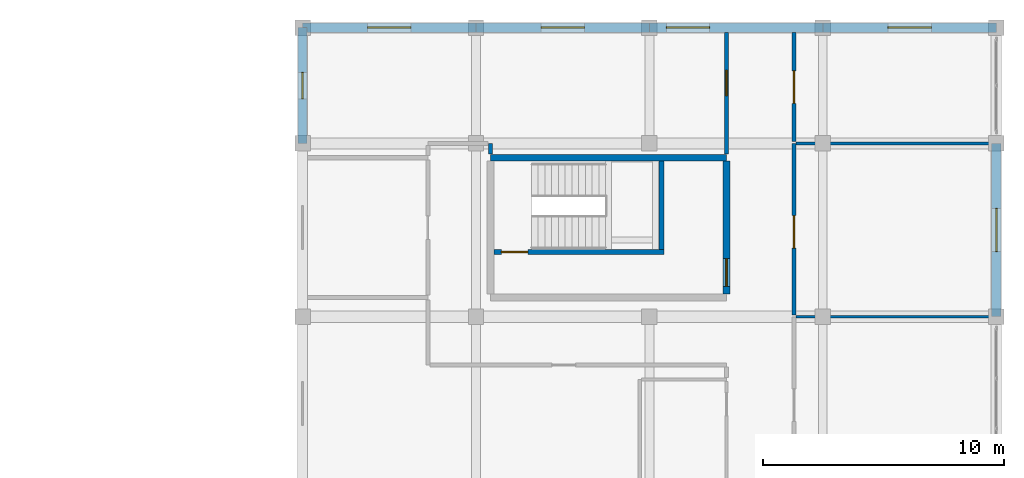
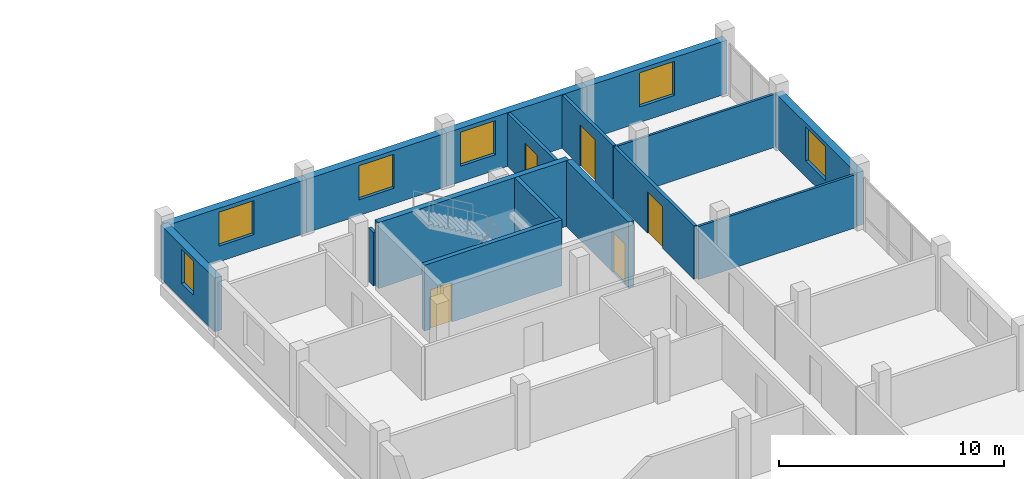
# One storey, part 119 of 128: 16 walls, 6 windows, 5 doors, 11 openings.
"""IFC4 building model written with IfcOpenShell, lengths in metres."""

from ifc_helpers import new_model, si_unit, direction, frame, frame_2d, origin, place, context, subcontext, project, spatial, rectangle, extrude, material, layer, layer_set, type_object, element, fill, save


model = new_model("IFC4")

# Units and contexts
model_context = context("Model", 3, precision=1e-05, world=origin(), true_north=direction((0.0, 1.0)))
body_context = subcontext(model_context, "Body", "Model", "MODEL_VIEW")
ifc_project = project(units=[si_unit("LENGTHUNIT", "METRE"), si_unit("AREAUNIT", "SQUARE_METRE"), si_unit("VOLUMEUNIT", "CUBIC_METRE"), si_unit("PLANEANGLEUNIT", "RADIAN"), si_unit("MASSUNIT", "GRAM", prefix="KILO")], contexts=[model_context])

# Site, building, storey
site_placement = place(None, origin())
site = spatial("IfcSite", under=ifc_project, at=site_placement, CompositionType="ELEMENT")
building_placement = place(site_placement, origin())
building = spatial("IfcBuilding", under=site, at=building_placement, Name="Zornivar Specialist Clinic", CompositionType="ELEMENT")
storey_placement = place(building_placement, frame((0.0, 0.0, 4.5)))
storey = spatial("IfcBuildingStorey", under=building, at=storey_placement, Name="L01", CompositionType="ELEMENT", Elevation=4.5)

# Wall, opening, window
ifc_material_1 = material(Name="Masonry Vratsa Limestone and Brick Banded Wall", Category="masonry")
ifc_layer_1 = layer(ifc_material_1, 0.3798828125)
ifc_layer_set_1 = layer_set([ifc_layer_1], Name="Masonry Vratsa Limestone and Brick Banded Wall")
wall_type_1 = type_object("IfcWallType", Name="EW-LIMESTONE-380", PredefinedType="SOLIDWALL", material=ifc_layer_set_1)
wall_1_placement = place(storey_placement, frame((165.60009765625, 100.800048828125, 0.0), z_axis=(0.0, 0.0, 1.0), x_axis=(0.0, 1.0, 0.0)))
wall_1 = element("IfcWall", 1, at=wall_1_placement, inside=storey, type_object=wall_type_1, Name="ew:V6:L01:09", PredefinedType="SOLIDWALL", context=body_context, shape_type="SweptSolid", body=[
    extrude(rectangle(XDim=7.199951171875, YDim=0.3798828125, at=frame_2d((3.60009765625, 0.0))), origin(), (0.0, 0.0, 1.0), 2.909912109375),
])
opening_1_placement = place(wall_1_placement, frame((2.699951171875, 0.0, 0.85009765625)))
opening_1 = element("IfcOpeningElement", 2, at=opening_1_placement, cuts=wall_1, Name="Opening W-20", PredefinedType="OPENING", context=body_context, shape_type="SweptSolid", body=[
    extrude(rectangle(XDim=1.800048828125, YDim=1.85009765625, at=frame_2d((0.89990234375, 0.925048828125))), frame((0.0, 0.199951171875, 0.0), z_axis=(0.0, -1.0, 0.0), x_axis=(1.0, 0.0, 0.0)), (0.0, 0.0, 1.0), 0.39990234375),
])
ifc_material_2 = material(Name="Triple-Glazed Aluminium-Timber Window Glass", Category="wood")
window_type_1 = type_object("IfcWindowType", Name="WIN-LAB-LOWER-1800x1850", PartitioningType="SINGLE_PANEL", PredefinedType="WINDOW", material=ifc_material_2)
window_1_placement = place(opening_1_placement, origin())
window_1 = element("IfcWindow", 3, at=window_1_placement, inside=storey, type_object=window_type_1, Name="win:V6:L01:09", OverallHeight=1.85009765625, OverallWidth=1.800048828125, PartitioningType="SINGLE_PANEL", PredefinedType="WINDOW", context=body_context, shape_type="SweptSolid", body=[
    extrude(rectangle(XDim=1.800048828125, YDim=1.85009765625, at=frame_2d((0.89990234375, 0.925048828125))), frame((0.0, 0.030029296875, 0.0), z_axis=(0.0, -1.0, 0.0), x_axis=(1.0, 0.0, 0.0)), (0.0, 0.0, 1.0), 0.06005859375),
])
fill(opening_1, window_1)

wall_2_placement = place(storey_placement, frame((165.60009765625, 112.800048828125, 0.0), z_axis=(0.0, 0.0, 1.0), x_axis=(-1.0, 0.0, 0.0)))
wall_2 = element("IfcWall", 4, at=wall_2_placement, inside=storey, type_object=wall_type_1, Name="ew:V6:L01:11", PredefinedType="SOLIDWALL", context=body_context, shape_type="SweptSolid", body=[
    extrude(rectangle(XDim=7.2001953125, YDim=0.3798828125, at=frame_2d((3.60009765625, 0.0))), origin(), (0.0, 0.0, 1.0), 2.909912109375),
])
opening_2_placement = place(wall_2_placement, frame((2.699951171875, 0.0, 0.85009765625)))
opening_2 = element("IfcOpeningElement", 5, at=opening_2_placement, cuts=wall_2, Name="Opening W-20", PredefinedType="OPENING", context=body_context, shape_type="SweptSolid", body=[
    extrude(rectangle(XDim=1.800048828125, YDim=1.85009765625, at=frame_2d((0.89990234375, 0.925048828125))), frame((0.0, 0.199951171875, 0.0), z_axis=(0.0, -1.0, 0.0), x_axis=(1.0, 0.0, 0.0)), (0.0, 0.0, 1.0), 0.39990234375),
])
window_2_placement = place(opening_2_placement, origin())
window_2 = element("IfcWindow", 6, at=window_2_placement, inside=storey, type_object=window_type_1, Name="win:V6:L01:11", OverallHeight=1.85009765625, OverallWidth=1.800048828125, PartitioningType="SINGLE_PANEL", PredefinedType="WINDOW", context=body_context, shape_type="SweptSolid", body=[
    extrude(rectangle(XDim=1.800048828125, YDim=1.85009765625, at=frame_2d((0.89990234375, 0.925048828125))), frame((0.0, 0.030029296875, 0.0), z_axis=(0.0, -1.0, 0.0), x_axis=(1.0, 0.0, 0.0)), (0.0, 0.0, 1.0), 0.06005859375),
])
fill(opening_2, window_2)

wall_3_placement = place(storey_placement, frame((158.39990234375, 112.800048828125, 0.0), z_axis=(0.0, 0.0, 1.0), x_axis=(-1.0, 0.0, 0.0)))
wall_3 = element("IfcWall", 7, at=wall_3_placement, inside=storey, type_object=wall_type_1, Name="ew:V6:L01:12", PredefinedType="SOLIDWALL", context=body_context, shape_type="SweptSolid", body=[
    extrude(rectangle(XDim=7.199951171875, YDim=0.3798828125, at=frame_2d((3.60009765625, 0.0))), origin(), (0.0, 0.0, 1.0), 2.909912109375),
])
opening_3_placement = place(wall_3_placement, frame((4.699951171875, 0.0, 0.85009765625)))
opening_3 = element("IfcOpeningElement", 8, at=opening_3_placement, cuts=wall_3, Name="Opening W-20", PredefinedType="OPENING", context=body_context, shape_type="SweptSolid", body=[
    extrude(rectangle(XDim=1.800048828125, YDim=1.85009765625, at=frame_2d((0.89990234375, 0.925048828125))), frame((0.0, 0.199951171875, 0.0), z_axis=(0.0, -1.0, 0.0), x_axis=(1.0, 0.0, 0.0)), (0.0, 0.0, 1.0), 0.39990234375),
])
window_3_placement = place(opening_3_placement, origin())
window_3 = element("IfcWindow", 9, at=window_3_placement, inside=storey, type_object=window_type_1, Name="win:V6:L01:12", OverallHeight=1.85009765625, OverallWidth=1.800048828125, PartitioningType="SINGLE_PANEL", PredefinedType="WINDOW", context=body_context, shape_type="SweptSolid", body=[
    extrude(rectangle(XDim=1.800048828125, YDim=1.85009765625, at=frame_2d((0.89990234375, 0.925048828125))), frame((0.0, 0.030029296875, 0.0), z_axis=(0.0, -1.0, 0.0), x_axis=(1.0, 0.0, 0.0)), (0.0, 0.0, 1.0), 0.06005859375),
])
fill(opening_3, window_3)

wall_4_placement = place(storey_placement, frame((151.199951171875, 112.800048828125, 0.0), z_axis=(0.0, 0.0, 1.0), x_axis=(-1.0, 0.0, 0.0)))
wall_4 = element("IfcWall", 10, at=wall_4_placement, inside=storey, type_object=wall_type_1, Name="ew:V6:L01:13", PredefinedType="SOLIDWALL", context=body_context, shape_type="SweptSolid", body=[
    extrude(rectangle(XDim=7.199951171875, YDim=0.3798828125, at=frame_2d((3.60009765625, 0.0))), origin(), (0.0, 0.0, 1.0), 2.909912109375),
])
opening_4_placement = place(wall_4_placement, frame((2.699951171875, 0.0, 0.85009765625)))
opening_4 = element("IfcOpeningElement", 11, at=opening_4_placement, cuts=wall_4, Name="Opening W-20", PredefinedType="OPENING", context=body_context, shape_type="SweptSolid", body=[
    extrude(rectangle(XDim=1.800048828125, YDim=1.85009765625, at=frame_2d((0.89990234375, 0.925048828125))), frame((0.0, 0.199951171875, 0.0), z_axis=(0.0, -1.0, 0.0), x_axis=(1.0, 0.0, 0.0)), (0.0, 0.0, 1.0), 0.39990234375),
])
window_4_placement = place(opening_4_placement, origin())
window_4 = element("IfcWindow", 12, at=window_4_placement, inside=storey, type_object=window_type_1, Name="win:V6:L01:13", OverallHeight=1.85009765625, OverallWidth=1.800048828125, PartitioningType="SINGLE_PANEL", PredefinedType="WINDOW", context=body_context, shape_type="SweptSolid", body=[
    extrude(rectangle(XDim=1.800048828125, YDim=1.85009765625, at=frame_2d((0.89990234375, 0.925048828125))), frame((0.0, 0.030029296875, 0.0), z_axis=(0.0, -1.0, 0.0), x_axis=(1.0, 0.0, 0.0)), (0.0, 0.0, 1.0), 0.06005859375),
])
fill(opening_4, window_4)

wall_5_placement = place(storey_placement, frame((144.0, 112.800048828125, 0.0), z_axis=(0.0, 0.0, 1.0), x_axis=(-1.0, 0.0, 0.0)))
wall_5 = element("IfcWall", 13, at=wall_5_placement, inside=storey, type_object=wall_type_1, Name="ew:V6:L01:14", PredefinedType="SOLIDWALL", context=body_context, shape_type="SweptSolid", body=[
    extrude(rectangle(XDim=7.199951171875, YDim=0.3798828125, at=frame_2d((3.60009765625, 0.0))), origin(), (0.0, 0.0, 1.0), 2.909912109375),
])
opening_5_placement = place(wall_5_placement, frame((2.699951171875, 0.0, 0.85009765625)))
opening_5 = element("IfcOpeningElement", 14, at=opening_5_placement, cuts=wall_5, Name="Opening W-20", PredefinedType="OPENING", context=body_context, shape_type="SweptSolid", body=[
    extrude(rectangle(XDim=1.800048828125, YDim=1.85009765625, at=frame_2d((0.89990234375, 0.925048828125))), frame((0.0, 0.199951171875, 0.0), z_axis=(0.0, -1.0, 0.0), x_axis=(1.0, 0.0, 0.0)), (0.0, 0.0, 1.0), 0.39990234375),
])
window_5_placement = place(opening_5_placement, origin())
window_5 = element("IfcWindow", 15, at=window_5_placement, inside=storey, type_object=window_type_1, Name="win:V6:L01:14", OverallHeight=1.85009765625, OverallWidth=1.800048828125, PartitioningType="SINGLE_PANEL", PredefinedType="WINDOW", context=body_context, shape_type="SweptSolid", body=[
    extrude(rectangle(XDim=1.800048828125, YDim=1.85009765625, at=frame_2d((0.89990234375, 0.925048828125))), frame((0.0, 0.030029296875, 0.0), z_axis=(0.0, -1.0, 0.0), x_axis=(1.0, 0.0, 0.0)), (0.0, 0.0, 1.0), 0.06005859375),
])
fill(opening_5, window_5)

wall_6_placement = place(storey_placement, frame((136.800048828125, 112.800048828125, 0.0), z_axis=(0.0, 0.0, 1.0), x_axis=(0.0, -1.0, 0.0)))
wall_6 = element("IfcWall", 16, at=wall_6_placement, inside=storey, type_object=wall_type_1, Name="ew:V6:L01:15", PredefinedType="SOLIDWALL", context=body_context, shape_type="SweptSolid", body=[
    extrude(rectangle(XDim=4.800048828125, YDim=0.3798828125, at=frame_2d((2.39990234375, 0.0))), origin(), (0.0, 0.0, 1.0), 2.909912109375),
])
opening_6_placement = place(wall_6_placement, frame((1.85009765625, 0.0, 0.85009765625)))
opening_6 = element("IfcOpeningElement", 17, at=opening_6_placement, cuts=wall_6, Name="Opening W-07", PredefinedType="OPENING", context=body_context, shape_type="SweptSolid", body=[
    extrude(rectangle(XDim=1.10009765625, YDim=1.85009765625, at=frame_2d((0.550048828125, 0.925048828125))), frame((0.0, 0.199951171875, 0.0), z_axis=(0.0, -1.0, 0.0), x_axis=(1.0, 0.0, 0.0)), (0.0, 0.0, 1.0), 0.39990234375),
])
ifc_material_3 = material(Name="Triple-Glazed Aluminium-Timber Window Glass", Category="wood")
window_type_2 = type_object("IfcWindowType", Name="WIN-OUTP-PIER-1100x1850", PartitioningType="SINGLE_PANEL", PredefinedType="WINDOW", material=ifc_material_3)
window_6_placement = place(opening_6_placement, origin())
window_6 = element("IfcWindow", 18, at=window_6_placement, inside=storey, type_object=window_type_2, Name="win:V6:L01:15", OverallHeight=1.85009765625, OverallWidth=1.10009765625, PartitioningType="SINGLE_PANEL", PredefinedType="WINDOW", context=body_context, shape_type="SweptSolid", body=[
    extrude(rectangle(XDim=1.10009765625, YDim=1.85009765625, at=frame_2d((0.550048828125, 0.925048828125))), frame((0.0, 0.030029296875, 0.0), z_axis=(0.0, -1.0, 0.0), x_axis=(1.0, 0.0, 0.0)), (0.0, 0.0, 1.0), 0.06005859375),
])
fill(opening_6, window_6)

# Wall
ifc_material_4 = material(Name="Gypsum Fire-Rated Double Stud Partition")
ifc_layer_2 = layer(ifc_material_4, 0.159912109375)
ifc_layer_set_2 = layer_set([ifc_layer_2], Name="Gypsum Fire-Rated Double Stud Partition")
wall_type_2 = type_object("IfcWallType", Name="IW-CORR-EI60-160", PredefinedType="PARTITIONING", material=ifc_layer_set_2)
wall_7_placement = place(storey_placement, frame((144.60009765625, 107.554931640625, 0.0), z_axis=(0.0, 0.0, 1.0), x_axis=(0.0, 1.0, 0.0)))
element("IfcWall", 19, at=wall_7_placement, inside=storey, type_object=wall_type_2, Name="iw:L01:179", PredefinedType="PARTITIONING", context=body_context, shape_type="SweptSolid", body=[
    extrude(rectangle(XDim=0.445068359375, YDim=0.159912109375, at=frame_2d((0.22265625, 0.0))), origin(), (0.0, 0.0, 1.0), 2.889892578125),
])

# Wall, opening, door
wall_8_placement = place(storey_placement, frame((154.39990234375, 112.594970703125, 0.0), z_axis=(0.0, 0.0, 1.0), x_axis=(0.0, -1.0, 0.0)))
wall_8 = element("IfcWall", 20, at=wall_8_placement, inside=storey, type_object=wall_type_2, Name="iw:L01:182", PredefinedType="PARTITIONING", context=body_context, shape_type="SweptSolid", body=[
    extrude(rectangle(XDim=5.0400390625, YDim=0.159912109375, at=frame_2d((2.52001953125, 0.0))), origin(), (0.0, 0.0, 1.0), 2.889892578125),
])
opening_7_placement = place(wall_8_placement, frame((1.56201171875, 0.0, 0.0)))
opening_7 = element("IfcOpeningElement", 21, at=opening_7_placement, cuts=wall_8, Name="Opening ID-15", PredefinedType="OPENING", context=body_context, shape_type="SweptSolid", body=[
    extrude(rectangle(XDim=1.050048828125, YDim=2.199951171875, at=frame_2d((0.52490234375, 1.10009765625))), frame((0.0, 0.08984375, 0.0), z_axis=(0.0, -1.0, 0.0), x_axis=(1.0, 0.0, 0.0)), (0.0, 0.0, 1.0), 0.179931640625),
])
ifc_material_5 = material(Name="Solid-Core Hygienic Laminate Timber Door", Category="wood")
door_type_1 = type_object("IfcDoorType", Name="ID-COUNS-1050x2200", OperationType="NOTDEFINED", PredefinedType="DOOR", material=ifc_material_5)
door_1_placement = place(opening_7_placement, origin())
door_1 = element("IfcDoor", 22, at=door_1_placement, inside=storey, type_object=door_type_1, Name="door:space:V6:L01:rm:07", OperationType="SINGLE_SWING_RIGHT", OverallHeight=2.199951171875, OverallWidth=1.050048828125, PredefinedType="DOOR", context=body_context, shape_type="SweptSolid", body=[
    extrude(rectangle(XDim=1.050048828125, YDim=2.199951171875, at=frame_2d((0.52490234375, 1.10009765625))), frame((0.0, 0.02490234375, 0.0), z_axis=(0.0, -1.0, 0.0), x_axis=(1.0, 0.0, 0.0)), (0.0, 0.0, 1.0), 0.050048828125),
])
fill(opening_7, door_1)

wall_9_placement = place(storey_placement, frame((157.199951171875, 100.8740234375, 0.0), z_axis=(0.0, 0.0, 1.0), x_axis=(0.0, 1.0, 0.0)))
wall_9 = element("IfcWall", 23, at=wall_9_placement, inside=storey, type_object=wall_type_2, Name="iw:L01:191", PredefinedType="PARTITIONING", context=body_context, shape_type="SweptSolid", body=[
    extrude(rectangle(XDim=7.1259765625, YDim=0.159912109375, at=frame_2d((3.56298828125, 0.0))), origin(), (0.0, 0.0, 1.0), 2.889892578125),
])
opening_8_placement = place(wall_9_placement, frame((2.77294921875, 0.0, 0.0)))
opening_8 = element("IfcOpeningElement", 24, at=opening_8_placement, cuts=wall_9, Name="Opening ID-10", PredefinedType="OPENING", context=body_context, shape_type="SweptSolid", body=[
    extrude(rectangle(XDim=1.35009765625, YDim=2.25, at=frame_2d((0.675048828125, 1.125))), frame((0.0, 0.08984375, 0.0), z_axis=(0.0, -1.0, 0.0), x_axis=(1.0, 0.0, 0.0)), (0.0, 0.0, 1.0), 0.179931640625),
])
ifc_material_6 = material(Name="Solid-Core Hygienic Laminate Timber Door", Category="wood")
door_type_2 = type_object("IfcDoorType", Name="ID-TEACH-1350x2250", OperationType="NOTDEFINED", PredefinedType="DOOR", material=ifc_material_6)
door_2_placement = place(opening_8_placement, origin())
door_2 = element("IfcDoor", 25, at=door_2_placement, inside=storey, type_object=door_type_2, Name="door:space:V6:L01:rm:12", OperationType="SINGLE_SWING_LEFT", OverallHeight=2.25, OverallWidth=1.35009765625, PredefinedType="DOOR", context=body_context, shape_type="SweptSolid", body=[
    extrude(rectangle(XDim=1.35009765625, YDim=2.25, at=frame_2d((0.675048828125, 1.125))), frame((0.0, 0.02490234375, 0.0), z_axis=(0.0, -1.0, 0.0), x_axis=(1.0, 0.0, 0.0)), (0.0, 0.0, 1.0), 0.050048828125),
])
fill(opening_8, door_2)

wall_10_placement = place(storey_placement, frame((157.199951171875, 108.073974609375, 0.0), z_axis=(0.0, 0.0, 1.0), x_axis=(0.0, 1.0, 0.0)))
wall_10 = element("IfcWall", 26, at=wall_10_placement, inside=storey, type_object=wall_type_2, Name="iw:L01:193", PredefinedType="PARTITIONING", context=body_context, shape_type="SweptSolid", body=[
    extrude(rectangle(XDim=4.52099609375, YDim=0.159912109375, at=frame_2d((2.260498046875, 0.0))), origin(), (0.0, 0.0, 1.0), 2.889892578125),
])
opening_9_placement = place(wall_10_placement, frame((1.5859375, 0.0, 0.0)))
opening_9 = element("IfcOpeningElement", 27, at=opening_9_placement, cuts=wall_10, Name="Opening ID-10", PredefinedType="OPENING", context=body_context, shape_type="SweptSolid", body=[
    extrude(rectangle(XDim=1.35009765625, YDim=2.25, at=frame_2d((0.675048828125, 1.125))), frame((0.0, 0.08984375, 0.0), z_axis=(0.0, -1.0, 0.0), x_axis=(1.0, 0.0, 0.0)), (0.0, 0.0, 1.0), 0.179931640625),
])
door_3_placement = place(opening_9_placement, origin())
door_3 = element("IfcDoor", 28, at=door_3_placement, inside=storey, type_object=door_type_2, Name="door:space:V6:L01:rm:13", OperationType="SINGLE_SWING_RIGHT", OverallHeight=2.25, OverallWidth=1.35009765625, PredefinedType="DOOR", context=body_context, shape_type="SweptSolid", body=[
    extrude(rectangle(XDim=1.35009765625, YDim=2.25, at=frame_2d((0.675048828125, 1.125))), frame((0.0, 0.02490234375, 0.0), z_axis=(0.0, -1.0, 0.0), x_axis=(1.0, 0.0, 0.0)), (0.0, 0.0, 1.0), 0.050048828125),
])
fill(opening_9, door_3)

# Walls
ifc_material_7 = material(Name="Acoustic Glazed Consultation Partition")
ifc_layer_3 = layer(ifc_material_7, 0.1201171875)
ifc_layer_set_3 = layer_set([ifc_layer_3], Name="Acoustic Glazed Consultation Partition")
wall_type_3 = type_object("IfcWallType", Name="IW-GLAZ-120", PredefinedType="PARTITIONING", material=ifc_layer_set_3)
for number, where, z_axis, x_axis, name in (
    (29, (157.2939453125, 100.800048828125, 0.0), (0.0, 0.0, 1.0), (1.0, 0.0, 0.0), "iw:L01:190"),
    (30, (157.2939453125, 108.0, 0.0), (0.0, 0.0, 1.0), (1.0, 0.0, 0.0), "iw:L01:192"),
):
    element("IfcWall", number, at=place(storey_placement, frame(where, z_axis=z_axis, x_axis=x_axis)), inside=storey, type_object=wall_type_3, Name=name, PredefinedType="PARTITIONING", context=body_context, shape_type="SweptSolid", body=[
        extrude(rectangle(XDim=8.10107421875, YDim=0.1201171875, at=frame_2d((4.050537109375, 0.0))), origin(), (0.0, 0.0, 1.0), 2.889892578125),
    ])

# Wall, opening, door
ifc_material_8 = material(Name="Concrete C35/45", Category="concrete")
ifc_layer_4 = layer(ifc_material_8, 0.280029296875)
ifc_layer_set_4 = layer_set([ifc_layer_4], Name="Concrete C35/45")
wall_type_4 = type_object("IfcWallType", Name="SW-CORE-280", PredefinedType="SHEAR", material=ifc_layer_set_4)
wall_11_placement = place(storey_placement, frame((154.39990234375, 101.739990234375, 0.0), z_axis=(0.0, 0.0, 1.0), x_axis=(0.0, 1.0, 0.0)))
wall_11 = element("IfcWall", 31, at=wall_11_placement, inside=storey, type_object=wall_type_4, Name="sw:C10:L01:w1", PredefinedType="SHEAR", context=body_context, shape_type="SweptSolid", body=[
    extrude(rectangle(XDim=5.52001953125, YDim=0.280029296875, at=frame_2d((2.760009765625, 0.0))), origin(), (0.0, 0.0, 1.0), 3.580078125),
])
opening_10_placement = place(wall_11_placement, frame((0.320068359375, 0.0, 0.0)))
opening_10 = element("IfcOpeningElement", 32, at=opening_10_placement, cuts=wall_11, Name="Opening FD-03", PredefinedType="OPENING", context=body_context, shape_type="SweptSolid", body=[
    extrude(rectangle(XDim=1.14990234375, YDim=2.199951171875, at=frame_2d((0.574951171875, 1.10009765625))), frame((0.0, 0.14990234375, 0.0), z_axis=(0.0, -1.0, 0.0), x_axis=(1.0, 0.0, 0.0)), (0.0, 0.0, 1.0), 0.300048828125),
])
ifc_material_9 = material(Name="Solid-Core Hygienic Laminate Timber Door", Category="wood")
door_type_3 = type_object("IfcDoorType", Name="FD-LOBBY-UPPER-1150x2200", OperationType="NOTDEFINED", PredefinedType="DOOR", material=ifc_material_9)
door_4_placement = place(opening_10_placement, origin())
door_4 = element("IfcDoor", 33, at=door_4_placement, inside=storey, type_object=door_type_3, Name="door:C10:L01:lob", OperationType="SINGLE_SWING_RIGHT", OverallHeight=2.199951171875, OverallWidth=1.14990234375, PredefinedType="DOOR", context=body_context, shape_type="SweptSolid", body=[
    extrude(rectangle(XDim=1.14990234375, YDim=2.199951171875, at=frame_2d((0.574951171875, 1.10009765625))), frame((0.0, 0.02490234375, 0.0), z_axis=(0.0, -1.0, 0.0), x_axis=(1.0, 0.0, 0.0)), (0.0, 0.0, 1.0), 0.050048828125),
])
fill(opening_10, door_4)

# Walls
wall_12_placement = place(storey_placement, frame((154.39990234375, 107.39990234375, 0.0), z_axis=(0.0, 0.0, 1.0), x_axis=(-1.0, 0.0, 0.0)))
element("IfcWall", 34, at=wall_12_placement, inside=storey, type_object=wall_type_4, Name="sw:C10:L01:w2", PredefinedType="SHEAR", context=body_context, shape_type="SweptSolid", body=[
    extrude(rectangle(XDim=9.7998046875, YDim=0.280029296875, at=frame_2d((4.89990234375, 0.0))), origin(), (0.0, 0.0, 1.0), 3.580078125),
])
ifc_material_10 = material(Name="Concrete C30/37", Category="concrete")
ifc_layer_5 = layer(ifc_material_10, 0.199951171875)
ifc_layer_set_5 = layer_set([ifc_layer_5], Name="Concrete C30/37")
wall_type_5 = type_object("IfcWallType", Name="SW-LIFT-200", PredefinedType="SHEAR", material=ifc_layer_set_5)
wall_13_placement = place(storey_placement, frame((151.699951171875, 103.60009765625, 0.0), z_axis=(0.0, 0.0, 1.0), x_axis=(0.0, 1.0, 0.0)))
element("IfcWall", 35, at=wall_13_placement, inside=storey, type_object=wall_type_5, Name="sw:C10:L01:sdiv", PredefinedType="SHEAR", context=body_context, shape_type="SweptSolid", body=[
    extrude(rectangle(XDim=3.659912109375, YDim=0.199951171875, at=frame_2d((1.830078125, 0.0))), origin(), (0.0, 0.0, 1.0), 3.580078125),
])

# Wall, opening, door
ifc_material_11 = material(Name="Concrete C30/37", Category="concrete")
ifc_layer_6 = layer(ifc_material_11, 0.219970703125)
ifc_layer_set_6 = layer_set([ifc_layer_6], Name="Concrete C30/37")
wall_type_6 = type_object("IfcWallType", Name="SW-SHAFT-220", PredefinedType="SHEAR", material=ifc_layer_set_6)
wall_14_placement = place(storey_placement, frame((144.739990234375, 103.489990234375, 0.0), z_axis=(0.0, 0.0, 1.0), x_axis=(1.0, 0.0, 0.0)))
wall_14 = element("IfcWall", 36, at=wall_14_placement, inside=storey, type_object=wall_type_6, Name="sw:C10:L01:stwall", PredefinedType="SHEAR", context=body_context, shape_type="SweptSolid", body=[
    extrude(rectangle(XDim=7.06005859375, YDim=0.219970703125, at=frame_2d((3.530029296875, 0.0))), origin(), (0.0, 0.0, 1.0), 3.580078125),
])
opening_11_placement = place(wall_14_placement, frame((0.31005859375, 0.0, 0.0)))
opening_11 = element("IfcOpeningElement", 37, at=opening_11_placement, cuts=wall_14, Name="Opening FD-02", PredefinedType="OPENING", context=body_context, shape_type="SweptSolid", body=[
    extrude(rectangle(XDim=1.10009765625, YDim=2.14990234375, at=frame_2d((0.550048828125, 1.074951171875))), frame((0.0, 0.119873046875, 0.0), z_axis=(0.0, -1.0, 0.0), x_axis=(1.0, 0.0, 0.0)), (0.0, 0.0, 1.0), 0.239990234375),
])
ifc_material_12 = material(Name="Solid-Core Hygienic Laminate Timber Door", Category="wood")
door_type_4 = type_object("IfcDoorType", Name="FD-STAIR-1100x2150", OperationType="NOTDEFINED", PredefinedType="DOOR", material=ifc_material_12)
door_5_placement = place(opening_11_placement, origin())
door_5 = element("IfcDoor", 38, at=door_5_placement, inside=storey, type_object=door_type_4, Name="door:C10:L01:stair", OperationType="SINGLE_SWING_LEFT", OverallHeight=2.14990234375, OverallWidth=1.10009765625, PredefinedType="DOOR", context=body_context, shape_type="SweptSolid", body=[
    extrude(rectangle(XDim=1.10009765625, YDim=2.14990234375, at=frame_2d((0.550048828125, 1.074951171875))), frame((0.0, 0.02490234375, 0.0), z_axis=(0.0, -1.0, 0.0), x_axis=(1.0, 0.0, 0.0)), (0.0, 0.0, 1.0), 0.050048828125),
])
fill(opening_11, door_5)

save(model, "model.ifc")
